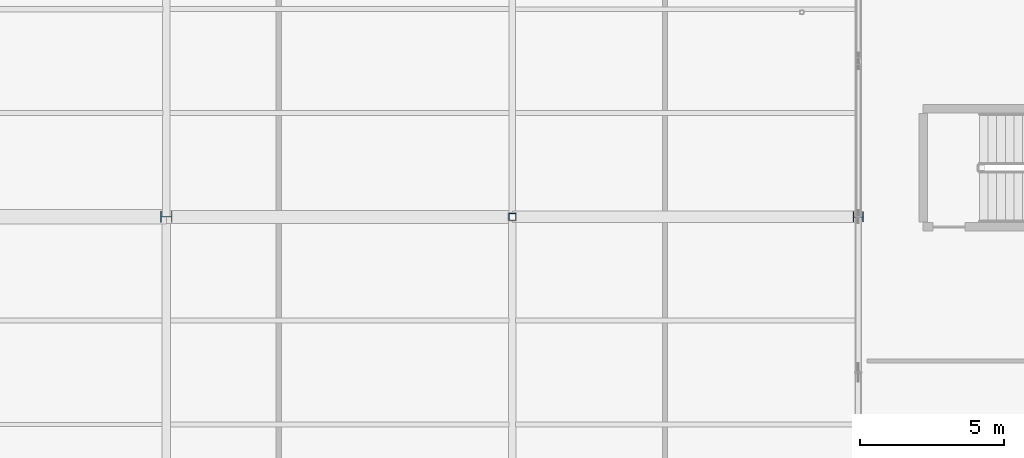
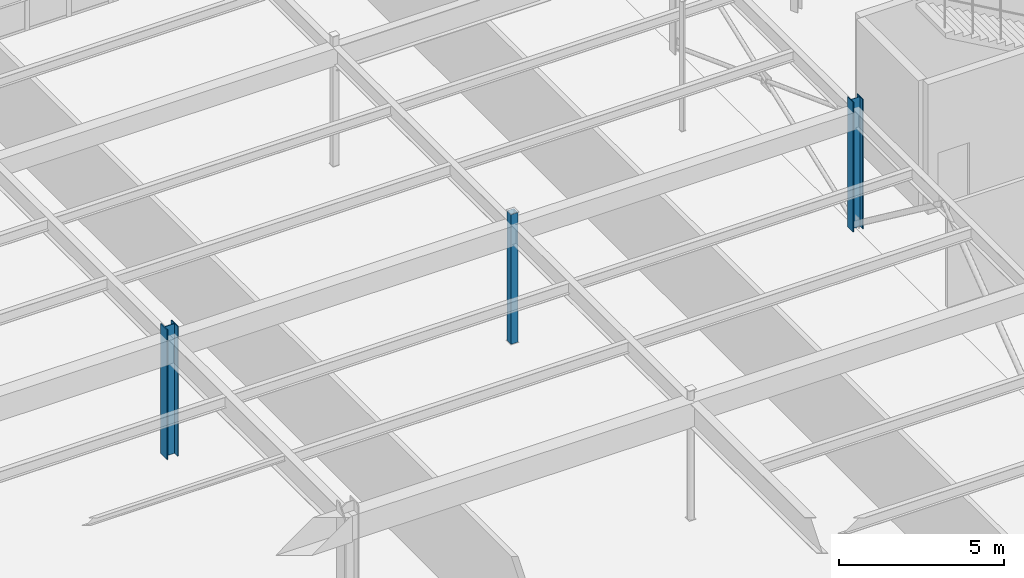
# One storey, part 25 of 226: 3 columns.
"""IFC4 building model written with IfcOpenShell, lengths in metres."""

from ifc_helpers import new_model, si_unit, direction, frame, origin, origin_2d, place, context, subcontext, project, spatial, hollow_rectangle, i_section, extrude, material, material_profile, profile_set, type_object, element, save


model = new_model("IFC4")

# Units and contexts
model_context = context("Model", 3, precision=1e-05, world=origin(), true_north=direction((0.0, 1.0)))
body_context = subcontext(model_context, "Body", "Model", "MODEL_VIEW")
ifc_project = project(units=[si_unit("LENGTHUNIT", "METRE"), si_unit("AREAUNIT", "SQUARE_METRE"), si_unit("VOLUMEUNIT", "CUBIC_METRE"), si_unit("PLANEANGLEUNIT", "RADIAN"), si_unit("MASSUNIT", "GRAM", prefix="KILO")], contexts=[model_context])

# Site, building, storey
site_placement = place(None, origin())
site = spatial("IfcSite", under=ifc_project, at=site_placement, CompositionType="ELEMENT")
building_placement = place(site_placement, origin())
building = spatial("IfcBuilding", under=site, at=building_placement, Name="Tarnwether General Hospital", CompositionType="ELEMENT")
storey_placement = place(building_placement, frame((0.0, 0.0, 4.800048828125)))
storey = spatial("IfcBuildingStorey", under=building, at=storey_placement, Name="L01", CompositionType="ELEMENT", Elevation=4.800048828125)

# Columns
ifc_material_1 = material(Name="Steel Grade 350 (350 MPa)", Category="steel")
ifc_material_profile_1 = material_profile(ifc_material_1, i_section(OverallWidth=0.39990234375, OverallDepth=0.39990234375, WebThickness=0.02001953125, FlangeThickness=0.028076171875, at=origin_2d()), Name="400WC270")
ifc_profile_set_1 = profile_set([ifc_material_profile_1], Name="Steel Grade 350 (350 MPa)")
column_type_1 = type_object("IfcColumnType", Name="COL-02", PredefinedType="COLUMN", material=ifc_profile_set_1)
column_1_placement = place(storey_placement, frame((36.0, 104.39990234375, 0.0), z_axis=(0.0, 0.0, 1.0), x_axis=(0.0, 1.0, 0.0)))
element("IfcColumn", 1, at=column_1_placement, inside=storey, type_object=column_type_1, Name="Column COLG-L01-3600_10440", PredefinedType="COLUMN", context=body_context, shape_type="SweptSolid", body=[
    extrude(i_section(OverallWidth=0.39990234375, OverallDepth=0.39990234375, WebThickness=0.02001953125, FlangeThickness=0.028076171875, at=origin_2d()), origin(), (0.0, 0.0, 1.0), 4.800048828125),
])
ifc_material_2 = material(Name="Steel Grade 350 (350 MPa)", Category="steel")
ifc_material_profile_2 = material_profile(ifc_material_2, i_section(OverallWidth=0.35009765625, OverallDepth=0.360107421875, WebThickness=0.01611328125, FlangeThickness=0.028076171875, at=origin_2d()), Name="350WC230")
ifc_profile_set_2 = profile_set([ifc_material_profile_2], Name="Steel Grade 350 (350 MPa)")
column_type_2 = type_object("IfcColumnType", Name="COL-03", PredefinedType="COLUMN", material=ifc_profile_set_2)
column_2_placement = place(storey_placement, frame((60.0, 104.39990234375, 0.0), z_axis=(0.0, 0.0, 1.0), x_axis=(0.0, 1.0, 0.0)))
element("IfcColumn", 2, at=column_2_placement, inside=storey, type_object=column_type_2, Name="Column COLG-L01-6000_10440", PredefinedType="COLUMN", context=body_context, shape_type="SweptSolid", body=[
    extrude(i_section(OverallWidth=0.35009765625, OverallDepth=0.360107421875, WebThickness=0.01611328125, FlangeThickness=0.028076171875, at=origin_2d()), origin(), (0.0, 0.0, 1.0), 4.800048828125),
])
ifc_material_3 = material(Name="Steel Grade C350L0 (350 MPa)", Category="steel")
ifc_material_profile_3 = material_profile(ifc_material_3, hollow_rectangle(XDim=0.25, YDim=0.25, WallThickness=0.012451171875, at=origin_2d()), Name="SHS250x250x12.5")
ifc_profile_set_3 = profile_set([ifc_material_profile_3], Name="Steel Grade C350L0 (350 MPa)")
column_type_3 = type_object("IfcColumnType", Name="COL-14", PredefinedType="COLUMN", material=ifc_profile_set_3)
column_3_placement = place(storey_placement, frame((48.0, 104.39990234375, 0.0), z_axis=(0.0, 0.0, 1.0), x_axis=(1.0, 0.0, 0.0)))
element("IfcColumn", 3, at=column_3_placement, inside=storey, type_object=column_type_3, Name="Column COLG-L01-4800_10440", PredefinedType="COLUMN", context=body_context, shape_type="SweptSolid", body=[
    extrude(hollow_rectangle(XDim=0.25, YDim=0.25, WallThickness=0.012451171875, at=origin_2d()), origin(), (0.0, 0.0, 1.0), 4.800048828125),
])

save(model, "model.ifc")
